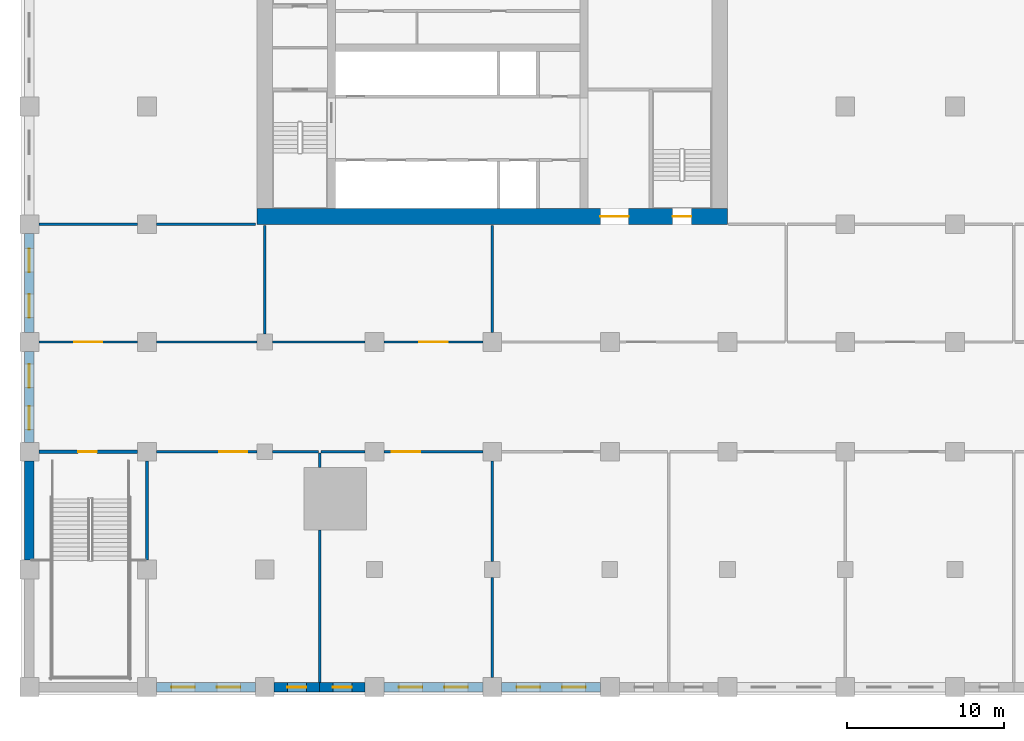
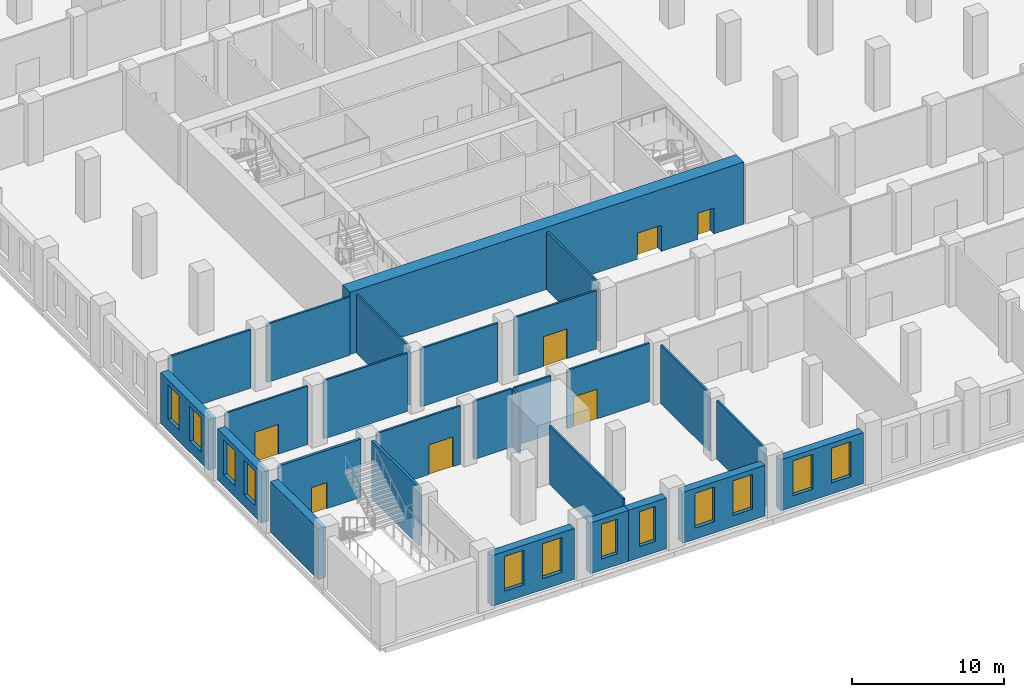
# One storey, part 3 of 32: 27 walls, 12 windows, 7 doors, 19 openings.
"""IFC4 building model written with IfcOpenShell, lengths in metres."""

from ifc_helpers import new_model, si_unit, direction, frame, frame_2d, origin, place, context, subcontext, project, spatial, rectangle, extrude, material, layer, layer_set, type_object, element, fill, save


model = new_model("IFC4")

# Units and contexts
model_context = context("Model", 3, precision=1e-05, world=origin(), true_north=direction((0.0, 1.0)))
body_context = subcontext(model_context, "Body", "Model", "MODEL_VIEW")
ifc_project = project(units=[si_unit("LENGTHUNIT", "METRE"), si_unit("AREAUNIT", "SQUARE_METRE"), si_unit("VOLUMEUNIT", "CUBIC_METRE"), si_unit("PLANEANGLEUNIT", "RADIAN"), si_unit("MASSUNIT", "GRAM", prefix="KILO")], contexts=[model_context])

# Site, building, storey
site_placement = place(None, origin())
site = spatial("IfcSite", under=ifc_project, at=site_placement, CompositionType="ELEMENT")
building_placement = place(site_placement, origin())
building = spatial("IfcBuilding", under=site, at=building_placement, Name="Tamorin Gate", CompositionType="ELEMENT")
storey_placement = place(building_placement, frame((0.0, 0.0, 13.5)))
storey = spatial("IfcBuildingStorey", under=building, at=storey_placement, Name="L02", CompositionType="ELEMENT", Elevation=13.5)

# Wall, opening, door
ifc_material_1 = material(Name="Concrete masonry C20/25", Category="masonry")
ifc_layer_1 = layer(ifc_material_1, 0.14990234375)
ifc_layer_set_1 = layer_set([ifc_layer_1], Name="Partition 150")
wall_type_1 = type_object("IfcWallType", Name="Partition 150", PredefinedType="PARTITIONING", material=ifc_layer_set_1)
wall_1_placement = place(storey_placement, frame((23.60009765625, 45.5, 0.0), z_axis=(0.0, 0.0, 1.0), x_axis=(1.0, 0.0, 0.0)))
wall_1 = element("IfcWall", 1, at=wall_1_placement, inside=storey, type_object=wall_type_1, Name="Partition 150 L02", PredefinedType="PARTITIONING", context=body_context, shape_type="SweptSolid", body=[
    extrude(rectangle(XDim=6.39990234375, YDim=0.14990234375, at=frame_2d((3.199951171875, 0.0))), origin(), (0.0, 0.0, 1.0), 4.699951171875),
])
opening_1_placement = place(wall_1_placement, frame((4.0, 0.0, 0.0)))
opening_1 = element("IfcOpeningElement", 2, at=opening_1_placement, cuts=wall_1, Name="Opening DP3", PredefinedType="OPENING", context=body_context, shape_type="SweptSolid", body=[
    extrude(rectangle(XDim=1.800048828125, YDim=2.39990234375, at=frame_2d((0.89990234375, 1.199951171875))), frame((0.0, 0.0849609375, 0.0), z_axis=(0.0, -1.0, 0.0), x_axis=(1.0, 0.0, 0.0)), (0.0, 0.0, 1.0), 0.169921875),
])
ifc_material_2 = material(Name="Steel and glass", Category="steel")
door_type_1 = type_object("IfcDoorType", Name="Door pair 1800", OperationType="DOUBLE_DOOR_SINGLE_SWING", PredefinedType="DOOR", material=ifc_material_2)
door_1_placement = place(opening_1_placement, origin())
door_1 = element("IfcDoor", 3, at=door_1_placement, inside=storey, type_object=door_type_1, Name="Door pair 1800 L02", OperationType="SINGLE_SWING_LEFT", OverallHeight=2.39990234375, OverallWidth=1.800048828125, PredefinedType="DOOR", context=body_context, shape_type="SweptSolid", body=[
    extrude(rectangle(XDim=1.800048828125, YDim=2.39990234375, at=frame_2d((0.89990234375, 1.199951171875))), frame((0.0, 0.02490234375, 0.0), z_axis=(0.0, -1.0, 0.0), x_axis=(1.0, 0.0, 0.0)), (0.0, 0.0, 1.0), 0.050048828125),
])
fill(opening_1, door_1)

# Walls
wall_2_placement = place(storey_placement, frame((31.0, 45.5, 0.0), z_axis=(0.0, 0.0, 1.0), x_axis=(1.0, 0.0, 0.0)))
element("IfcWall", 4, at=wall_2_placement, inside=storey, type_object=wall_type_1, Name="Partition 150 L02", PredefinedType="PARTITIONING", context=body_context, shape_type="SweptSolid", body=[
    extrude(rectangle(XDim=2.925048828125, YDim=0.14990234375, at=frame_2d((1.46240234375, 0.0))), origin(), (0.0, 0.0, 1.0), 4.699951171875),
])
wall_3_placement = place(storey_placement, frame((34.074951171875, 45.5, 0.0), z_axis=(0.0, 0.0, 1.0), x_axis=(1.0, 0.0, 0.0)))
element("IfcWall", 5, at=wall_3_placement, inside=storey, type_object=wall_type_1, Name="Partition 150 L02", PredefinedType="PARTITIONING", context=body_context, shape_type="SweptSolid", body=[
    extrude(rectangle(XDim=2.824951171875, YDim=0.14990234375, at=frame_2d((1.41259765625, 0.0))), origin(), (0.0, 0.0, 1.0), 4.699951171875),
])

# Wall, opening, door
wall_4_placement = place(storey_placement, frame((38.10009765625, 45.5, 0.0), z_axis=(0.0, 0.0, 1.0), x_axis=(1.0, 0.0, 0.0)))
wall_4 = element("IfcWall", 6, at=wall_4_placement, inside=storey, type_object=wall_type_1, Name="Partition 150 L02", PredefinedType="PARTITIONING", context=body_context, shape_type="SweptSolid", body=[
    extrude(rectangle(XDim=6.2998046875, YDim=0.14990234375, at=frame_2d((3.14990234375, 0.0))), origin(), (0.0, 0.0, 1.0), 4.699951171875),
])
opening_2_placement = place(wall_4_placement, frame((0.5, 0.0, 0.0)))
opening_2 = element("IfcOpeningElement", 7, at=opening_2_placement, cuts=wall_4, Name="Opening DP3", PredefinedType="OPENING", context=body_context, shape_type="SweptSolid", body=[
    extrude(rectangle(XDim=1.800048828125, YDim=2.39990234375, at=frame_2d((0.89990234375, 1.199951171875))), frame((0.0, 0.0849609375, 0.0), z_axis=(0.0, -1.0, 0.0), x_axis=(1.0, 0.0, 0.0)), (0.0, 0.0, 1.0), 0.169921875),
])
door_2_placement = place(opening_2_placement, origin())
door_2 = element("IfcDoor", 8, at=door_2_placement, inside=storey, type_object=door_type_1, Name="Door pair 1800 L02", OperationType="SINGLE_SWING_LEFT", OverallHeight=2.39990234375, OverallWidth=1.800048828125, PredefinedType="DOOR", context=body_context, shape_type="SweptSolid", body=[
    extrude(rectangle(XDim=1.800048828125, YDim=2.39990234375, at=frame_2d((0.89990234375, 1.199951171875))), frame((0.0, 0.02490234375, 0.0), z_axis=(0.0, -1.0, 0.0), x_axis=(1.0, 0.0, 0.0)), (0.0, 0.0, 1.0), 0.050048828125),
])
fill(opening_2, door_2)

wall_5_placement = place(storey_placement, frame((22.39990234375, 52.5, 0.0), z_axis=(0.0, 0.0, 1.0), x_axis=(-1.0, 0.0, 0.0)))
wall_5 = element("IfcWall", 9, at=wall_5_placement, inside=storey, type_object=wall_type_1, Name="Partition 150 L02", PredefinedType="PARTITIONING", context=body_context, shape_type="SweptSolid", body=[
    extrude(rectangle(XDim=6.2998046875, YDim=0.14990234375, at=frame_2d((3.14990234375, 0.0))), origin(), (0.0, 0.0, 1.0), 4.699951171875),
])
opening_3_placement = place(wall_5_placement, frame((2.25, 0.0, 0.0)))
opening_3 = element("IfcOpeningElement", 10, at=opening_3_placement, cuts=wall_5, Name="Opening DP3", PredefinedType="OPENING", context=body_context, shape_type="SweptSolid", body=[
    extrude(rectangle(XDim=1.800048828125, YDim=2.39990234375, at=frame_2d((0.89990234375, 1.199951171875))), frame((0.0, 0.0849609375, 0.0), z_axis=(0.0, -1.0, 0.0), x_axis=(1.0, 0.0, 0.0)), (0.0, 0.0, 1.0), 0.169921875),
])
door_3_placement = place(opening_3_placement, origin())
door_3 = element("IfcDoor", 11, at=door_3_placement, inside=storey, type_object=door_type_1, Name="Door pair 1800 L02", OperationType="SINGLE_SWING_LEFT", OverallHeight=2.39990234375, OverallWidth=1.800048828125, PredefinedType="DOOR", context=body_context, shape_type="SweptSolid", body=[
    extrude(rectangle(XDim=1.800048828125, YDim=2.39990234375, at=frame_2d((0.89990234375, 1.199951171875))), frame((0.0, 0.02490234375, 0.0), z_axis=(0.0, -1.0, 0.0), x_axis=(1.0, 0.0, 0.0)), (0.0, 0.0, 1.0), 0.050048828125),
])
fill(opening_3, door_3)

# Walls
wall_6_placement = place(storey_placement, frame((23.60009765625, 52.5, 0.0), z_axis=(0.0, 0.0, 1.0), x_axis=(1.0, 0.0, 0.0)))
element("IfcWall", 12, at=wall_6_placement, inside=storey, type_object=wall_type_1, Name="Partition 150 L02", PredefinedType="PARTITIONING", context=body_context, shape_type="SweptSolid", body=[
    extrude(rectangle(XDim=6.39990234375, YDim=0.14990234375, at=frame_2d((3.199951171875, 0.0))), origin(), (0.0, 0.0, 1.0), 4.699951171875),
])
wall_7_placement = place(storey_placement, frame((31.0, 52.5, 0.0), z_axis=(0.0, 0.0, 1.0), x_axis=(1.0, 0.0, 0.0)))
element("IfcWall", 13, at=wall_7_placement, inside=storey, type_object=wall_type_1, Name="Partition 150 L02", PredefinedType="PARTITIONING", context=body_context, shape_type="SweptSolid", body=[
    extrude(rectangle(XDim=5.89990234375, YDim=0.14990234375, at=frame_2d((2.949951171875, 0.0))), origin(), (0.0, 0.0, 1.0), 4.699951171875),
])

# Wall, opening, door
wall_8_placement = place(storey_placement, frame((44.39990234375, 52.5, 0.0), z_axis=(0.0, 0.0, 1.0), x_axis=(-1.0, 0.0, 0.0)))
wall_8 = element("IfcWall", 14, at=wall_8_placement, inside=storey, type_object=wall_type_1, Name="Partition 150 L02", PredefinedType="PARTITIONING", context=body_context, shape_type="SweptSolid", body=[
    extrude(rectangle(XDim=6.2998046875, YDim=0.14990234375, at=frame_2d((3.14990234375, 0.0))), origin(), (0.0, 0.0, 1.0), 4.699951171875),
])
opening_4_placement = place(wall_8_placement, frame((2.25, 0.0, 0.0)))
opening_4 = element("IfcOpeningElement", 15, at=opening_4_placement, cuts=wall_8, Name="Opening DP3", PredefinedType="OPENING", context=body_context, shape_type="SweptSolid", body=[
    extrude(rectangle(XDim=1.800048828125, YDim=2.39990234375, at=frame_2d((0.89990234375, 1.199951171875))), frame((0.0, 0.0849609375, 0.0), z_axis=(0.0, -1.0, 0.0), x_axis=(1.0, 0.0, 0.0)), (0.0, 0.0, 1.0), 0.169921875),
])
door_4_placement = place(opening_4_placement, origin())
door_4 = element("IfcDoor", 16, at=door_4_placement, inside=storey, type_object=door_type_1, Name="Door pair 1800 L02", OperationType="SINGLE_SWING_LEFT", OverallHeight=2.39990234375, OverallWidth=1.800048828125, PredefinedType="DOOR", context=body_context, shape_type="SweptSolid", body=[
    extrude(rectangle(XDim=1.800048828125, YDim=2.39990234375, at=frame_2d((0.89990234375, 1.199951171875))), frame((0.0, 0.02490234375, 0.0), z_axis=(0.0, -1.0, 0.0), x_axis=(1.0, 0.0, 0.0)), (0.0, 0.0, 1.0), 0.050048828125),
])
fill(opening_4, door_4)

# Walls
wall_9_placement = place(storey_placement, frame((16.10009765625, 60.0, 0.0), z_axis=(0.0, 0.0, 1.0), x_axis=(1.0, 0.0, 0.0)))
element("IfcWall", 17, at=wall_9_placement, inside=storey, type_object=wall_type_1, Name="Partition 150 L02", PredefinedType="PARTITIONING", context=body_context, shape_type="SweptSolid", body=[
    extrude(rectangle(XDim=6.2998046875, YDim=0.14990234375, at=frame_2d((3.14990234375, 0.0))), origin(), (0.0, 0.0, 1.0), 4.699951171875),
])
wall_10_placement = place(storey_placement, frame((23.60009765625, 60.0, 0.0), z_axis=(0.0, 0.0, 1.0), x_axis=(1.0, 0.0, 0.0)))
element("IfcWall", 18, at=wall_10_placement, inside=storey, type_object=wall_type_1, Name="Partition 150 L02", PredefinedType="PARTITIONING", context=body_context, shape_type="SweptSolid", body=[
    extrude(rectangle(XDim=6.324951171875, YDim=0.14990234375, at=frame_2d((3.16259765625, 0.0))), origin(), (0.0, 0.0, 1.0), 4.699951171875),
])
wall_11_placement = place(storey_placement, frame((34.0, 30.800048828125, 0.0), z_axis=(0.0, 0.0, 1.0), x_axis=(0.0, 1.0, 0.0)))
element("IfcWall", 19, at=wall_11_placement, inside=storey, type_object=wall_type_1, Name="Partition 150 L02", PredefinedType="PARTITIONING", context=body_context, shape_type="SweptSolid", body=[
    extrude(rectangle(XDim=9.699951171875, YDim=0.14990234375, at=frame_2d((4.85009765625, 0.0))), origin(), (0.0, 0.0, 1.0), 4.699951171875),
])
wall_12_placement = place(storey_placement, frame((34.0, 44.5, 0.0), z_axis=(0.0, 0.0, 1.0), x_axis=(0.0, 1.0, 0.0)))
element("IfcWall", 20, at=wall_12_placement, inside=storey, type_object=wall_type_1, Name="Partition 150 L02", PredefinedType="PARTITIONING", context=body_context, shape_type="SweptSolid", body=[
    extrude(rectangle(XDim=0.925048828125, YDim=0.14990234375, at=frame_2d((0.46240234375, 0.0))), origin(), (0.0, 0.0, 1.0), 4.699951171875),
])
for number, where, z_axis, x_axis, name in (
    (21, (45.0, 31.10009765625, 0.0), (0.0, 0.0, 1.0), (0.0, 1.0, 0.0), "Partition 150 L02"),
    (22, (45.0, 38.5, 0.0), (0.0, 0.0, 1.0), (0.0, 1.0, 0.0), "Partition 150 L02"),
):
    element("IfcWall", number, at=place(storey_placement, frame(where, z_axis=z_axis, x_axis=x_axis)), inside=storey, type_object=wall_type_1, Name=name, PredefinedType="PARTITIONING", context=body_context, shape_type="SweptSolid", body=[
        extrude(rectangle(XDim=6.39990234375, YDim=0.14990234375, at=frame_2d((3.199951171875, 0.0))), origin(), (0.0, 0.0, 1.0), 4.699951171875),
    ])
wall_13_placement = place(storey_placement, frame((45.0, 53.10009765625, 0.0), z_axis=(0.0, 0.0, 1.0), x_axis=(0.0, 1.0, 0.0)))
element("IfcWall", 23, at=wall_13_placement, inside=storey, type_object=wall_type_1, Name="Partition 150 L02", PredefinedType="PARTITIONING", context=body_context, shape_type="SweptSolid", body=[
    extrude(rectangle(XDim=6.824951171875, YDim=0.14990234375, at=frame_2d((3.41259765625, 0.0))), origin(), (0.0, 0.0, 1.0), 4.699951171875),
])
wall_14_placement = place(storey_placement, frame((30.5, 53.0, 0.0), z_axis=(0.0, 0.0, 1.0), x_axis=(0.0, 1.0, 0.0)))
element("IfcWall", 24, at=wall_14_placement, inside=storey, type_object=wall_type_1, Name="Partition 150 L02", PredefinedType="PARTITIONING", context=body_context, shape_type="SweptSolid", body=[
    extrude(rectangle(XDim=6.925048828125, YDim=0.14990234375, at=frame_2d((3.46240234375, 0.0))), origin(), (0.0, 0.0, 1.0), 4.699951171875),
])

# Wall, openings, windows
ifc_material_3 = material(Name="Precast concrete C40/50", Category="concrete")
ifc_layer_2 = layer(ifc_material_3, 0.60009765625)
ifc_layer_set_2 = layer_set([ifc_layer_2], Name="Precast concrete C40/50")
wall_type_2 = type_object("IfcWallType", Name="Precast plinth wall 600", PredefinedType="PARTITIONING", material=ifc_layer_set_2)
wall_15_placement = place(storey_placement, frame((23.60009765625, 30.5, 0.0), z_axis=(0.0, 0.0, 1.0), x_axis=(1.0, 0.0, 0.0)))
wall_15 = element("IfcWall", 25, at=wall_15_placement, inside=storey, type_object=wall_type_2, Name="Precast plinth wall 600 L02", PredefinedType="PARTITIONING", context=body_context, shape_type="SweptSolid", body=[
    extrude(rectangle(XDim=6.2998046875, YDim=0.60009765625, at=frame_2d((3.14990234375, 0.0))), origin(), (0.0, 0.0, 1.0), 4.10009765625),
])
opening_5_placement = place(wall_15_placement, frame((0.950927734375, 0.0, 0.89990234375)))
opening_5 = element("IfcOpeningElement", 26, at=opening_5_placement, cuts=wall_15, Name="Opening PWN5", PredefinedType="OPENING", context=body_context, shape_type="SweptSolid", body=[
    extrude(rectangle(XDim=1.5, YDim=2.800048828125, at=frame_2d((0.75, 1.39990234375))), frame((0.0, 0.31005859375, 0.0), z_axis=(0.0, -1.0, 0.0), x_axis=(1.0, 0.0, 0.0)), (0.0, 0.0, 1.0), 0.6201171875),
])
opening_6_placement = place(wall_15_placement, frame((3.84912109375, 0.0, 0.89990234375)))
opening_6 = element("IfcOpeningElement", 27, at=opening_6_placement, cuts=wall_15, Name="Opening PWN5", PredefinedType="OPENING", context=body_context, shape_type="SweptSolid", body=[
    extrude(rectangle(XDim=1.5, YDim=2.800048828125, at=frame_2d((0.75, 1.39990234375))), frame((0.0, 0.31005859375, 0.0), z_axis=(0.0, -1.0, 0.0), x_axis=(1.0, 0.0, 0.0)), (0.0, 0.0, 1.0), 0.6201171875),
])
ifc_material_4 = material(Name="Aluminium and glass", Category="aluminium")
window_type_1 = type_object("IfcWindowType", Name="Plinth window 1500x2800", PartitioningType="DOUBLE_PANEL_VERTICAL", PredefinedType="WINDOW", material=ifc_material_4)
window_1_placement = place(opening_5_placement, origin())
window_1 = element("IfcWindow", 28, at=window_1_placement, inside=storey, type_object=window_type_1, Name="Plinth window 1500x2800", OverallHeight=2.800048828125, OverallWidth=1.5, PartitioningType="SINGLE_PANEL", PredefinedType="WINDOW", context=body_context, shape_type="SweptSolid", body=[
    extrude(rectangle(XDim=1.5, YDim=2.800048828125, at=frame_2d((0.75, 1.39990234375))), frame((0.0, 0.030029296875, 0.0), z_axis=(0.0, -1.0, 0.0), x_axis=(1.0, 0.0, 0.0)), (0.0, 0.0, 1.0), 0.06005859375),
])
fill(opening_5, window_1)
window_2_placement = place(opening_6_placement, origin())
window_2 = element("IfcWindow", 29, at=window_2_placement, inside=storey, type_object=window_type_1, Name="Plinth window 1500x2800", OverallHeight=2.800048828125, OverallWidth=1.5, PartitioningType="SINGLE_PANEL", PredefinedType="WINDOW", context=body_context, shape_type="SweptSolid", body=[
    extrude(rectangle(XDim=1.5, YDim=2.800048828125, at=frame_2d((0.75, 1.39990234375))), frame((0.0, 0.030029296875, 0.0), z_axis=(0.0, -1.0, 0.0), x_axis=(1.0, 0.0, 0.0)), (0.0, 0.0, 1.0), 0.06005859375),
])
fill(opening_6, window_2)

# Wall, opening, window
wall_16_placement = place(storey_placement, frame((31.10009765625, 30.5, 0.0), z_axis=(0.0, 0.0, 1.0), x_axis=(1.0, 0.0, 0.0)))
wall_16 = element("IfcWall", 30, at=wall_16_placement, inside=storey, type_object=wall_type_2, Name="Precast plinth wall 600 L02", PredefinedType="PARTITIONING", context=body_context, shape_type="SweptSolid", body=[
    extrude(rectangle(XDim=2.89990234375, YDim=0.60009765625, at=frame_2d((1.449951171875, 0.0))), origin(), (0.0, 0.0, 1.0), 4.10009765625),
])
opening_7_placement = place(wall_16_placement, frame((0.85009765625, 0.0, 0.89990234375)))
opening_7 = element("IfcOpeningElement", 31, at=opening_7_placement, cuts=wall_16, Name="Opening PWN4", PredefinedType="OPENING", context=body_context, shape_type="SweptSolid", body=[
    extrude(rectangle(XDim=1.199951171875, YDim=2.800048828125, at=frame_2d((0.60009765625, 1.39990234375))), frame((0.0, 0.31005859375, 0.0), z_axis=(0.0, -1.0, 0.0), x_axis=(1.0, 0.0, 0.0)), (0.0, 0.0, 1.0), 0.6201171875),
])
window_type_2 = type_object("IfcWindowType", Name="Plinth window 1200x2800", PartitioningType="DOUBLE_PANEL_VERTICAL", PredefinedType="WINDOW", material=ifc_material_4)
window_3_placement = place(opening_7_placement, origin())
window_3 = element("IfcWindow", 32, at=window_3_placement, inside=storey, type_object=window_type_2, Name="Plinth window 1200x2800", OverallHeight=2.800048828125, OverallWidth=1.199951171875, PartitioningType="SINGLE_PANEL", PredefinedType="WINDOW", context=body_context, shape_type="SweptSolid", body=[
    extrude(rectangle(XDim=1.199951171875, YDim=2.800048828125, at=frame_2d((0.60009765625, 1.39990234375))), frame((0.0, 0.030029296875, 0.0), z_axis=(0.0, -1.0, 0.0), x_axis=(1.0, 0.0, 0.0)), (0.0, 0.0, 1.0), 0.06005859375),
])
fill(opening_7, window_3)

wall_17_placement = place(storey_placement, frame((34.0, 30.5, 0.0), z_axis=(0.0, 0.0, 1.0), x_axis=(1.0, 0.0, 0.0)))
wall_17 = element("IfcWall", 33, at=wall_17_placement, inside=storey, type_object=wall_type_2, Name="Precast plinth wall 600 L02", PredefinedType="PARTITIONING", context=body_context, shape_type="SweptSolid", body=[
    extrude(rectangle(XDim=2.89990234375, YDim=0.60009765625, at=frame_2d((1.449951171875, 0.0))), origin(), (0.0, 0.0, 1.0), 4.10009765625),
])
opening_8_placement = place(wall_17_placement, frame((0.85009765625, 0.0, 0.89990234375)))
opening_8 = element("IfcOpeningElement", 34, at=opening_8_placement, cuts=wall_17, Name="Opening PWN4", PredefinedType="OPENING", context=body_context, shape_type="SweptSolid", body=[
    extrude(rectangle(XDim=1.199951171875, YDim=2.800048828125, at=frame_2d((0.60009765625, 1.39990234375))), frame((0.0, 0.31005859375, 0.0), z_axis=(0.0, -1.0, 0.0), x_axis=(1.0, 0.0, 0.0)), (0.0, 0.0, 1.0), 0.6201171875),
])
window_4_placement = place(opening_8_placement, origin())
window_4 = element("IfcWindow", 35, at=window_4_placement, inside=storey, type_object=window_type_2, Name="Plinth window 1200x2800", OverallHeight=2.800048828125, OverallWidth=1.199951171875, PartitioningType="SINGLE_PANEL", PredefinedType="WINDOW", context=body_context, shape_type="SweptSolid", body=[
    extrude(rectangle(XDim=1.199951171875, YDim=2.800048828125, at=frame_2d((0.60009765625, 1.39990234375))), frame((0.0, 0.030029296875, 0.0), z_axis=(0.0, -1.0, 0.0), x_axis=(1.0, 0.0, 0.0)), (0.0, 0.0, 1.0), 0.06005859375),
])
fill(opening_8, window_4)

# Wall, openings, windows
wall_18_placement = place(storey_placement, frame((38.10009765625, 30.5, 0.0), z_axis=(0.0, 0.0, 1.0), x_axis=(1.0, 0.0, 0.0)))
wall_18 = element("IfcWall", 36, at=wall_18_placement, inside=storey, type_object=wall_type_2, Name="Precast plinth wall 600 L02", PredefinedType="PARTITIONING", context=body_context, shape_type="SweptSolid", body=[
    extrude(rectangle(XDim=6.2998046875, YDim=0.60009765625, at=frame_2d((3.14990234375, 0.0))), origin(), (0.0, 0.0, 1.0), 4.10009765625),
])
opening_9_placement = place(wall_18_placement, frame((0.950927734375, 0.0, 0.89990234375)))
opening_9 = element("IfcOpeningElement", 37, at=opening_9_placement, cuts=wall_18, Name="Opening PWN5", PredefinedType="OPENING", context=body_context, shape_type="SweptSolid", body=[
    extrude(rectangle(XDim=1.5, YDim=2.800048828125, at=frame_2d((0.75, 1.39990234375))), frame((0.0, 0.31005859375, 0.0), z_axis=(0.0, -1.0, 0.0), x_axis=(1.0, 0.0, 0.0)), (0.0, 0.0, 1.0), 0.6201171875),
])
opening_10_placement = place(wall_18_placement, frame((3.84912109375, 0.0, 0.89990234375)))
opening_10 = element("IfcOpeningElement", 38, at=opening_10_placement, cuts=wall_18, Name="Opening PWN5", PredefinedType="OPENING", context=body_context, shape_type="SweptSolid", body=[
    extrude(rectangle(XDim=1.5, YDim=2.800048828125, at=frame_2d((0.75, 1.39990234375))), frame((0.0, 0.31005859375, 0.0), z_axis=(0.0, -1.0, 0.0), x_axis=(1.0, 0.0, 0.0)), (0.0, 0.0, 1.0), 0.6201171875),
])
window_5_placement = place(opening_9_placement, origin())
window_5 = element("IfcWindow", 39, at=window_5_placement, inside=storey, type_object=window_type_1, Name="Plinth window 1500x2800", OverallHeight=2.800048828125, OverallWidth=1.5, PartitioningType="SINGLE_PANEL", PredefinedType="WINDOW", context=body_context, shape_type="SweptSolid", body=[
    extrude(rectangle(XDim=1.5, YDim=2.800048828125, at=frame_2d((0.75, 1.39990234375))), frame((0.0, 0.030029296875, 0.0), z_axis=(0.0, -1.0, 0.0), x_axis=(1.0, 0.0, 0.0)), (0.0, 0.0, 1.0), 0.06005859375),
])
fill(opening_9, window_5)
window_6_placement = place(opening_10_placement, origin())
window_6 = element("IfcWindow", 40, at=window_6_placement, inside=storey, type_object=window_type_1, Name="Plinth window 1500x2800", OverallHeight=2.800048828125, OverallWidth=1.5, PartitioningType="SINGLE_PANEL", PredefinedType="WINDOW", context=body_context, shape_type="SweptSolid", body=[
    extrude(rectangle(XDim=1.5, YDim=2.800048828125, at=frame_2d((0.75, 1.39990234375))), frame((0.0, 0.030029296875, 0.0), z_axis=(0.0, -1.0, 0.0), x_axis=(1.0, 0.0, 0.0)), (0.0, 0.0, 1.0), 0.06005859375),
])
fill(opening_10, window_6)

wall_19_placement = place(storey_placement, frame((45.60009765625, 30.5, 0.0), z_axis=(0.0, 0.0, 1.0), x_axis=(1.0, 0.0, 0.0)))
wall_19 = element("IfcWall", 41, at=wall_19_placement, inside=storey, type_object=wall_type_2, Name="Precast plinth wall 600 L02", PredefinedType="PARTITIONING", context=body_context, shape_type="SweptSolid", body=[
    extrude(rectangle(XDim=6.2998046875, YDim=0.60009765625, at=frame_2d((3.14990234375, 0.0))), origin(), (0.0, 0.0, 1.0), 4.10009765625),
])
opening_11_placement = place(wall_19_placement, frame((0.950927734375, 0.0, 0.89990234375)))
opening_11 = element("IfcOpeningElement", 42, at=opening_11_placement, cuts=wall_19, Name="Opening PWN5", PredefinedType="OPENING", context=body_context, shape_type="SweptSolid", body=[
    extrude(rectangle(XDim=1.5, YDim=2.800048828125, at=frame_2d((0.75, 1.39990234375))), frame((0.0, 0.31005859375, 0.0), z_axis=(0.0, -1.0, 0.0), x_axis=(1.0, 0.0, 0.0)), (0.0, 0.0, 1.0), 0.6201171875),
])
opening_12_placement = place(wall_19_placement, frame((3.84912109375, 0.0, 0.89990234375)))
opening_12 = element("IfcOpeningElement", 43, at=opening_12_placement, cuts=wall_19, Name="Opening PWN5", PredefinedType="OPENING", context=body_context, shape_type="SweptSolid", body=[
    extrude(rectangle(XDim=1.5, YDim=2.800048828125, at=frame_2d((0.75, 1.39990234375))), frame((0.0, 0.31005859375, 0.0), z_axis=(0.0, -1.0, 0.0), x_axis=(1.0, 0.0, 0.0)), (0.0, 0.0, 1.0), 0.6201171875),
])
window_7_placement = place(opening_11_placement, origin())
window_7 = element("IfcWindow", 44, at=window_7_placement, inside=storey, type_object=window_type_1, Name="Plinth window 1500x2800", OverallHeight=2.800048828125, OverallWidth=1.5, PartitioningType="SINGLE_PANEL", PredefinedType="WINDOW", context=body_context, shape_type="SweptSolid", body=[
    extrude(rectangle(XDim=1.5, YDim=2.800048828125, at=frame_2d((0.75, 1.39990234375))), frame((0.0, 0.030029296875, 0.0), z_axis=(0.0, -1.0, 0.0), x_axis=(1.0, 0.0, 0.0)), (0.0, 0.0, 1.0), 0.06005859375),
])
fill(opening_11, window_7)
window_8_placement = place(opening_12_placement, origin())
window_8 = element("IfcWindow", 45, at=window_8_placement, inside=storey, type_object=window_type_1, Name="Plinth window 1500x2800", OverallHeight=2.800048828125, OverallWidth=1.5, PartitioningType="SINGLE_PANEL", PredefinedType="WINDOW", context=body_context, shape_type="SweptSolid", body=[
    extrude(rectangle(XDim=1.5, YDim=2.800048828125, at=frame_2d((0.75, 1.39990234375))), frame((0.0, 0.030029296875, 0.0), z_axis=(0.0, -1.0, 0.0), x_axis=(1.0, 0.0, 0.0)), (0.0, 0.0, 1.0), 0.06005859375),
])
fill(opening_12, window_8)

# Wall
wall_20_placement = place(storey_placement, frame((15.5, 38.60009765625, 0.0), z_axis=(0.0, 0.0, 1.0), x_axis=(0.0, 1.0, 0.0)))
element("IfcWall", 46, at=wall_20_placement, inside=storey, type_object=wall_type_2, Name="Precast plinth wall 600 L02", PredefinedType="PARTITIONING", context=body_context, shape_type="SweptSolid", body=[
    extrude(rectangle(XDim=6.2998046875, YDim=0.60009765625, at=frame_2d((3.14990234375, 0.0))), origin(), (0.0, 0.0, 1.0), 4.10009765625),
])

# Wall, openings, windows
wall_21_placement = place(storey_placement, frame((15.5, 46.10009765625, 0.0), z_axis=(0.0, 0.0, 1.0), x_axis=(0.0, 1.0, 0.0)))
wall_21 = element("IfcWall", 47, at=wall_21_placement, inside=storey, type_object=wall_type_2, Name="Precast plinth wall 600 L02", PredefinedType="PARTITIONING", context=body_context, shape_type="SweptSolid", body=[
    extrude(rectangle(XDim=5.7998046875, YDim=0.60009765625, at=frame_2d((2.89990234375, 0.0))), origin(), (0.0, 0.0, 1.0), 4.10009765625),
])
opening_13_placement = place(wall_21_placement, frame((0.81591796875, 0.0, 0.89990234375)))
opening_13 = element("IfcOpeningElement", 48, at=opening_13_placement, cuts=wall_21, Name="Opening PWN5", PredefinedType="OPENING", context=body_context, shape_type="SweptSolid", body=[
    extrude(rectangle(XDim=1.5, YDim=2.800048828125, at=frame_2d((0.75, 1.39990234375))), frame((0.0, 0.31005859375, 0.0), z_axis=(0.0, -1.0, 0.0), x_axis=(1.0, 0.0, 0.0)), (0.0, 0.0, 1.0), 0.6201171875),
])
opening_14_placement = place(wall_21_placement, frame((3.48388671875, 0.0, 0.89990234375)))
opening_14 = element("IfcOpeningElement", 49, at=opening_14_placement, cuts=wall_21, Name="Opening PWN5", PredefinedType="OPENING", context=body_context, shape_type="SweptSolid", body=[
    extrude(rectangle(XDim=1.5, YDim=2.800048828125, at=frame_2d((0.75, 1.39990234375))), frame((0.0, 0.31005859375, 0.0), z_axis=(0.0, -1.0, 0.0), x_axis=(1.0, 0.0, 0.0)), (0.0, 0.0, 1.0), 0.6201171875),
])
window_9_placement = place(opening_13_placement, origin())
window_9 = element("IfcWindow", 50, at=window_9_placement, inside=storey, type_object=window_type_1, Name="Plinth window 1500x2800", OverallHeight=2.800048828125, OverallWidth=1.5, PartitioningType="SINGLE_PANEL", PredefinedType="WINDOW", context=body_context, shape_type="SweptSolid", body=[
    extrude(rectangle(XDim=1.5, YDim=2.800048828125, at=frame_2d((0.75, 1.39990234375))), frame((0.0, 0.030029296875, 0.0), z_axis=(0.0, -1.0, 0.0), x_axis=(1.0, 0.0, 0.0)), (0.0, 0.0, 1.0), 0.06005859375),
])
fill(opening_13, window_9)
window_10_placement = place(opening_14_placement, origin())
window_10 = element("IfcWindow", 51, at=window_10_placement, inside=storey, type_object=window_type_1, Name="Plinth window 1500x2800", OverallHeight=2.800048828125, OverallWidth=1.5, PartitioningType="SINGLE_PANEL", PredefinedType="WINDOW", context=body_context, shape_type="SweptSolid", body=[
    extrude(rectangle(XDim=1.5, YDim=2.800048828125, at=frame_2d((0.75, 1.39990234375))), frame((0.0, 0.030029296875, 0.0), z_axis=(0.0, -1.0, 0.0), x_axis=(1.0, 0.0, 0.0)), (0.0, 0.0, 1.0), 0.06005859375),
])
fill(opening_14, window_10)

wall_22_placement = place(storey_placement, frame((15.5, 53.10009765625, 0.0), z_axis=(0.0, 0.0, 1.0), x_axis=(0.0, 1.0, 0.0)))
wall_22 = element("IfcWall", 52, at=wall_22_placement, inside=storey, type_object=wall_type_2, Name="Precast plinth wall 600 L02", PredefinedType="PARTITIONING", context=body_context, shape_type="SweptSolid", body=[
    extrude(rectangle(XDim=6.2998046875, YDim=0.60009765625, at=frame_2d((3.14990234375, 0.0))), origin(), (0.0, 0.0, 1.0), 4.10009765625),
])
opening_15_placement = place(wall_22_placement, frame((0.950927734375, 0.0, 0.89990234375)))
opening_15 = element("IfcOpeningElement", 53, at=opening_15_placement, cuts=wall_22, Name="Opening PWN5", PredefinedType="OPENING", context=body_context, shape_type="SweptSolid", body=[
    extrude(rectangle(XDim=1.5, YDim=2.800048828125, at=frame_2d((0.75, 1.39990234375))), frame((0.0, 0.31005859375, 0.0), z_axis=(0.0, -1.0, 0.0), x_axis=(1.0, 0.0, 0.0)), (0.0, 0.0, 1.0), 0.6201171875),
])
opening_16_placement = place(wall_22_placement, frame((3.84912109375, 0.0, 0.89990234375)))
opening_16 = element("IfcOpeningElement", 54, at=opening_16_placement, cuts=wall_22, Name="Opening PWN5", PredefinedType="OPENING", context=body_context, shape_type="SweptSolid", body=[
    extrude(rectangle(XDim=1.5, YDim=2.800048828125, at=frame_2d((0.75, 1.39990234375))), frame((0.0, 0.31005859375, 0.0), z_axis=(0.0, -1.0, 0.0), x_axis=(1.0, 0.0, 0.0)), (0.0, 0.0, 1.0), 0.6201171875),
])
window_11_placement = place(opening_15_placement, origin())
window_11 = element("IfcWindow", 55, at=window_11_placement, inside=storey, type_object=window_type_1, Name="Plinth window 1500x2800", OverallHeight=2.800048828125, OverallWidth=1.5, PartitioningType="SINGLE_PANEL", PredefinedType="WINDOW", context=body_context, shape_type="SweptSolid", body=[
    extrude(rectangle(XDim=1.5, YDim=2.800048828125, at=frame_2d((0.75, 1.39990234375))), frame((0.0, 0.030029296875, 0.0), z_axis=(0.0, -1.0, 0.0), x_axis=(1.0, 0.0, 0.0)), (0.0, 0.0, 1.0), 0.06005859375),
])
fill(opening_15, window_11)
window_12_placement = place(opening_16_placement, origin())
window_12 = element("IfcWindow", 56, at=window_12_placement, inside=storey, type_object=window_type_1, Name="Plinth window 1500x2800", OverallHeight=2.800048828125, OverallWidth=1.5, PartitioningType="SINGLE_PANEL", PredefinedType="WINDOW", context=body_context, shape_type="SweptSolid", body=[
    extrude(rectangle(XDim=1.5, YDim=2.800048828125, at=frame_2d((0.75, 1.39990234375))), frame((0.0, 0.030029296875, 0.0), z_axis=(0.0, -1.0, 0.0), x_axis=(1.0, 0.0, 0.0)), (0.0, 0.0, 1.0), 0.06005859375),
])
fill(opening_16, window_12)

# Wall, openings, doors
ifc_material_5 = material(Name="Concrete C80/95", Category="concrete")
ifc_layer_3 = layer(ifc_material_5, 1.0)
ifc_layer_set_3 = layer_set([ifc_layer_3], Name="RC core wall 1000 C80/95")
wall_type_3 = type_object("IfcWallType", Name="RC core wall 1000 C80/95", PredefinedType="SHEAR", material=ifc_layer_set_3)
wall_23_placement = place(storey_placement, frame((30.0, 60.5, 0.0), z_axis=(0.0, 0.0, 1.0), x_axis=(1.0, 0.0, 0.0)))
wall_23 = element("IfcWall", 57, at=wall_23_placement, inside=storey, type_object=wall_type_3, Name="Core wall L02", PredefinedType="SHEAR", context=body_context, shape_type="SweptSolid", body=[
    extrude(rectangle(XDim=30.0, YDim=1.0, at=frame_2d((15.0, 0.0))), origin(), (0.0, 0.0, 1.0), 5.0),
])
opening_17_placement = place(wall_23_placement, frame((21.89990234375, 0.0, 0.0)))
opening_17 = element("IfcOpeningElement", 58, at=opening_17_placement, cuts=wall_23, Name="Opening DE1", PredefinedType="OPENING", context=body_context, shape_type="SweptSolid", body=[
    extrude(rectangle(XDim=1.800048828125, YDim=2.10009765625, at=frame_2d((0.89990234375, 1.050048828125))), frame((0.0, 0.510009765625, 0.0), z_axis=(0.0, -1.0, 0.0), x_axis=(1.0, 0.0, 0.0)), (0.0, 0.0, 1.0), 1.02001953125),
])
opening_18_placement = place(wall_23_placement, frame((26.5, 0.0, 0.0)))
opening_18 = element("IfcOpeningElement", 59, at=opening_18_placement, cuts=wall_23, Name="Opening DS1", PredefinedType="OPENING", context=body_context, shape_type="SweptSolid", body=[
    extrude(rectangle(XDim=1.199951171875, YDim=2.10009765625, at=frame_2d((0.60009765625, 1.050048828125))), frame((0.0, 0.510009765625, 0.0), z_axis=(0.0, -1.0, 0.0), x_axis=(1.0, 0.0, 0.0)), (0.0, 0.0, 1.0), 1.02001953125),
])
ifc_material_6 = material(Name="Steel fire door", Category="steel")
door_type_2 = type_object("IfcDoorType", Name="Lobby exit double door 1800 x 2100 EI 60", OperationType="DOUBLE_DOOR_SINGLE_SWING", PredefinedType="DOOR", material=ifc_material_6)
door_5_placement = place(opening_17_placement, origin())
door_5 = element("IfcDoor", 60, at=door_5_placement, inside=storey, type_object=door_type_2, Name="Lift lobby A exit door", OperationType="DOUBLE_DOOR_SINGLE_SWING", OverallHeight=2.10009765625, OverallWidth=1.800048828125, PredefinedType="DOOR", context=body_context, shape_type="SweptSolid", body=[
    extrude(rectangle(XDim=1.800048828125, YDim=2.10009765625, at=frame_2d((0.89990234375, 1.050048828125))), frame((0.0, 0.02490234375, 0.0), z_axis=(0.0, -1.0, 0.0), x_axis=(1.0, 0.0, 0.0)), (0.0, 0.0, 1.0), 0.050048828125),
])
fill(opening_17, door_5)
door_type_3 = type_object("IfcDoorType", Name="Stair door 1200 x 2100 EI 90", OperationType="SINGLE_SWING_LEFT", PredefinedType="DOOR", material=ifc_material_6)
door_6_placement = place(opening_18_placement, origin())
door_6 = element("IfcDoor", 61, at=door_6_placement, inside=storey, type_object=door_type_3, Name="ST3 door", OperationType="SINGLE_SWING_LEFT", OverallHeight=2.10009765625, OverallWidth=1.199951171875, PredefinedType="DOOR", context=body_context, shape_type="SweptSolid", body=[
    extrude(rectangle(XDim=1.199951171875, YDim=2.10009765625, at=frame_2d((0.60009765625, 1.050048828125))), frame((0.0, 0.02490234375, 0.0), z_axis=(0.0, -1.0, 0.0), x_axis=(1.0, 0.0, 0.0)), (0.0, 0.0, 1.0), 0.050048828125),
])
fill(opening_18, door_6)

# Wall, opening, door
ifc_material_7 = material(Name="Concrete C40/50", Category="concrete")
ifc_layer_4 = layer(ifc_material_7, 0.199951171875)
ifc_layer_set_4 = layer_set([ifc_layer_4], Name="Stair enclosure 200")
wall_type_4 = type_object("IfcWallType", Name="Stair enclosure 200", PredefinedType="SHEAR", material=ifc_layer_set_4)
wall_24_placement = place(storey_placement, frame((22.39990234375, 45.5, 0.0), z_axis=(0.0, 0.0, 1.0), x_axis=(-1.0, 0.0, 0.0)))
wall_24 = element("IfcWall", 62, at=wall_24_placement, inside=storey, type_object=wall_type_4, Name="Stair enclosure 200 L02", PredefinedType="SHEAR", context=body_context, shape_type="SweptSolid", body=[
    extrude(rectangle(XDim=6.2998046875, YDim=0.199951171875, at=frame_2d((3.14990234375, 0.0))), origin(), (0.0, 0.0, 1.0), 4.699951171875),
])
opening_19_placement = place(wall_24_placement, frame((2.60009765625, 0.0, 0.0)))
opening_19 = element("IfcOpeningElement", 63, at=opening_19_placement, cuts=wall_24, Name="Opening DP5", PredefinedType="OPENING", context=body_context, shape_type="SweptSolid", body=[
    extrude(rectangle(XDim=1.199951171875, YDim=2.10009765625, at=frame_2d((0.60009765625, 1.050048828125))), frame((0.0, 0.10986328125, 0.0), z_axis=(0.0, -1.0, 0.0), x_axis=(1.0, 0.0, 0.0)), (0.0, 0.0, 1.0), 0.219970703125),
])
ifc_material_8 = material(Name="Painted steel", Category="steel")
door_type_4 = type_object("IfcDoorType", Name="Stair door 1200", OperationType="SINGLE_SWING_LEFT", PredefinedType="DOOR", material=ifc_material_8)
door_7_placement = place(opening_19_placement, origin())
door_7 = element("IfcDoor", 64, at=door_7_placement, inside=storey, type_object=door_type_4, Name="Stair door 1200 L02", OperationType="SINGLE_SWING_LEFT", OverallHeight=2.10009765625, OverallWidth=1.199951171875, PredefinedType="DOOR", context=body_context, shape_type="SweptSolid", body=[
    extrude(rectangle(XDim=1.199951171875, YDim=2.10009765625, at=frame_2d((0.60009765625, 1.050048828125))), frame((0.0, 0.02490234375, 0.0), z_axis=(0.0, -1.0, 0.0), x_axis=(1.0, 0.0, 0.0)), (0.0, 0.0, 1.0), 0.050048828125),
])
fill(opening_19, door_7)

# Wall
wall_25_placement = place(storey_placement, frame((23.0, 38.60009765625, 0.0), z_axis=(0.0, 0.0, 1.0), x_axis=(0.0, 1.0, 0.0)))
element("IfcWall", 65, at=wall_25_placement, inside=storey, type_object=wall_type_4, Name="Stair enclosure 200 L02", PredefinedType="SHEAR", context=body_context, shape_type="SweptSolid", body=[
    extrude(rectangle(XDim=6.2998046875, YDim=0.199951171875, at=frame_2d((3.14990234375, 0.0))), origin(), (0.0, 0.0, 1.0), 4.699951171875),
])

save(model, "model.ifc")
